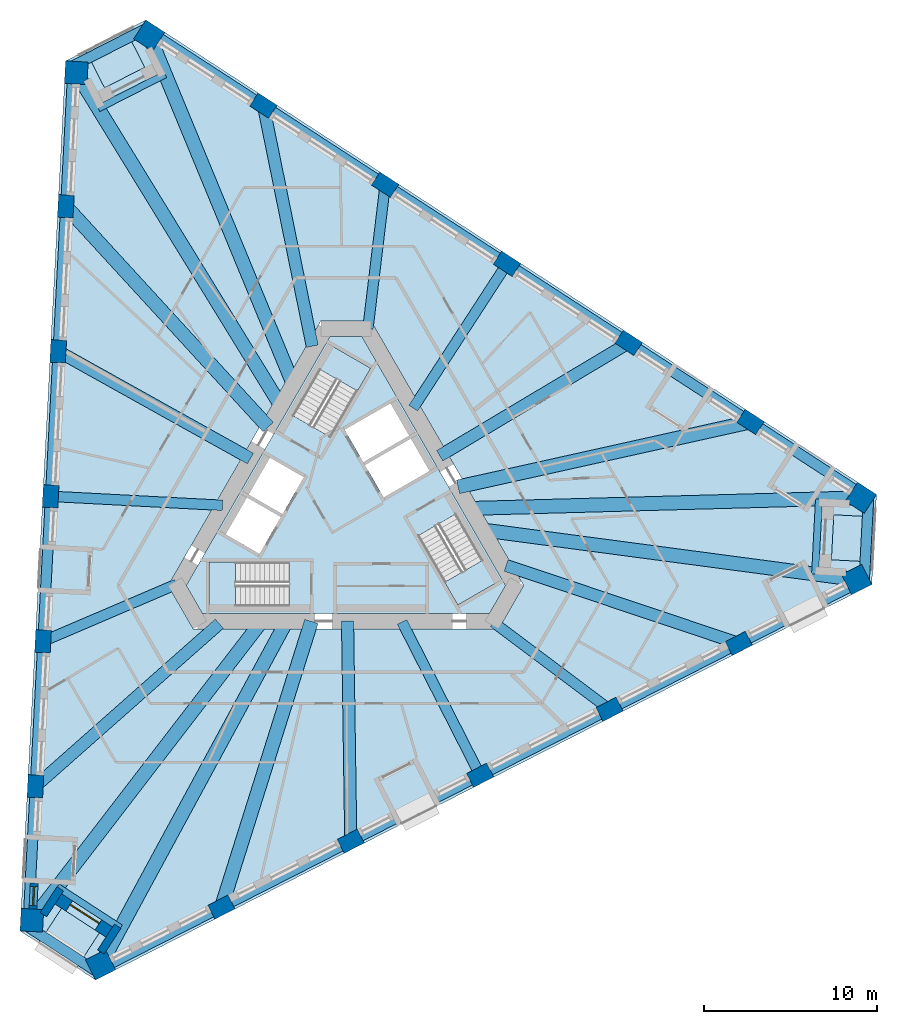
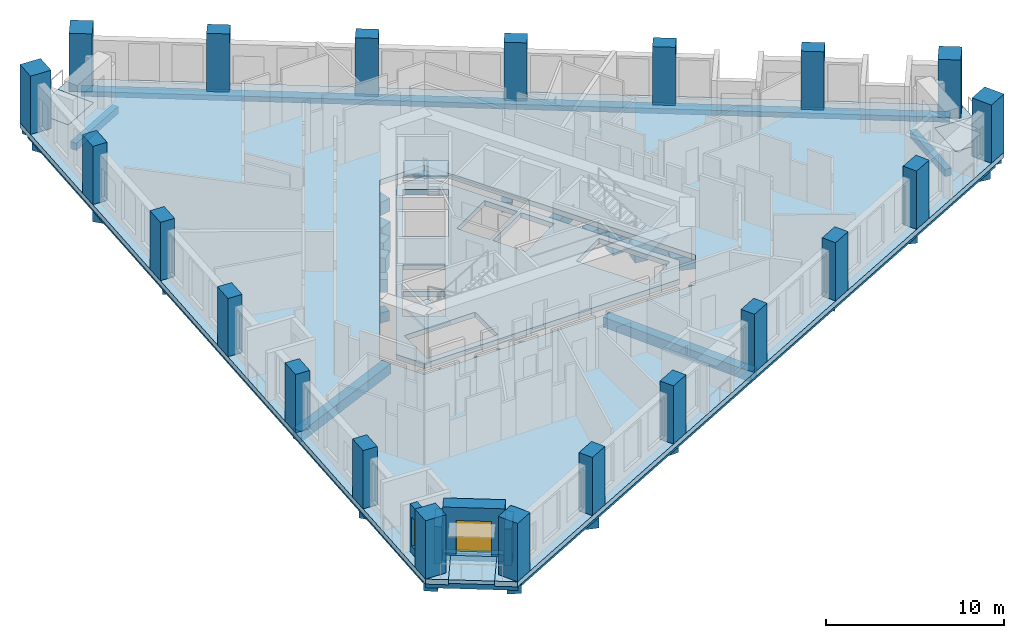
# One storey, part 1 of 13: 30 beams, 21 columns, 8 slabs, 4 walls, 1 door, 1 window, 2 openings, 3 elements without a shape of their own.
"""IFC4 building model written with IfcOpenShell, lengths in metres."""

from ifc_helpers import new_model, si_unit, direction, frame, frame_2d, origin, origin_2d, place, context, subcontext, project, spatial, polyline, rectangle, outline, extrude, material, layer, layer_set, material_profile, profile_set, type_object, element, fill, aggregate, save


model = new_model("IFC4")

# Units and contexts
model_context = context("Model", 3, precision=1e-05, world=origin(), true_north=direction((0.0, 1.0)))
body_context = subcontext(model_context, "Body", "Model", "MODEL_VIEW")
ifc_project = project(units=[si_unit("LENGTHUNIT", "METRE"), si_unit("AREAUNIT", "SQUARE_METRE"), si_unit("VOLUMEUNIT", "CUBIC_METRE"), si_unit("PLANEANGLEUNIT", "RADIAN"), si_unit("MASSUNIT", "GRAM", prefix="KILO")], contexts=[model_context])

# Site, building, storey
site_placement = place(None, origin())
site = spatial("IfcSite", under=ifc_project, at=site_placement, CompositionType="ELEMENT")
building_placement = place(site_placement, origin())
building = spatial("IfcBuilding", under=site, at=building_placement, Name="Tramontana Tower", CompositionType="ELEMENT")
storey_placement = place(building_placement, frame((0.0, 0.0, 149.60009765625)))
storey = spatial("IfcBuildingStorey", under=building, at=storey_placement, Name="L34", CompositionType="ELEMENT", Elevation=149.60009765625)

# Columns
ifc_material_1 = material(Name="Concrete 70 MPa", Category="concrete")
ifc_material_profile_1 = material_profile(ifc_material_1, rectangle(XDim=1.300048828125, YDim=1.300048828125, at=origin_2d()), Name="Mega column 1300X1300 70 MPa")
ifc_profile_set_1 = profile_set([ifc_material_profile_1], Name="Concrete 70 MPa")
column_type_1 = type_object("IfcColumnType", Name="Mega column 1300X1300 70 MPa", PredefinedType="COLUMN", material=ifc_profile_set_1)
for number, where, z_axis, x_axis, name in (
    (1, (-15.546630859375, 25.31298828125, 0.0), (0.0, 0.0, 1.0), (-0.052335956243, -0.998629534755, 0.0), "Mega column C3K1 L34"),
    (2, (-18.107177734375, -23.54931640625, 0.0), (0.0, 0.0, 1.0), (-0.052335956243, -0.998629534755, 0.0), "Mega column C3K2 L34"),
    (3, (-14.1484375, -26.1201171875, 0.0), (0.0, 0.0, 1.0), (0.891006524188, 0.45399049974, 0.0), "Mega column C3K3 L34"),
    (4, (29.447998046875, -3.90673828125, 0.0), (0.0, 0.0, 1.0), (0.891006524188, 0.45399049974, 0.0), "Mega column C3K4 L34"),
    (5, (29.695068359375, 0.80712890625, 0.0), (0.0, 0.0, 1.0), (-0.838670567945, 0.544639035015, 0.0), "Mega column C3K5 L34"),
    (6, (-11.340576171875, 27.4560546875, 0.0), (0.0, 0.0, 1.0), (-0.838670567945, 0.544639035015, 0.0), "Mega column C3K6 L34"),
):
    element("IfcColumn", number, at=place(storey_placement, frame(where, z_axis=z_axis, x_axis=x_axis)), inside=storey, type_object=column_type_1, Name=name, PredefinedType="COLUMN", context=body_context, shape_type="SweptSolid", body=[
        extrude(rectangle(XDim=1.300048828125, YDim=1.300048828125, at=origin_2d()), origin(), (0.0, 0.0, 1.0), 4.0),
    ])
ifc_material_2 = material(Name="Concrete 55 MPa", Category="concrete")
ifc_material_profile_2 = material_profile(ifc_material_2, rectangle(XDim=1.300048828125, YDim=0.89990234375, at=origin_2d()), Name="Pier column 1300X900 55 MPa")
ifc_profile_set_2 = profile_set([ifc_material_profile_2], Name="Concrete 55 MPa")
column_type_2 = type_object("IfcColumnType", Name="Pier column 1300X900 55 MPa", PredefinedType="COLUMN", material=ifc_profile_set_2)
for number, where, z_axis, x_axis, name in (
    (7, (-16.150390625, 17.612548828125, 0.0), (0.0, 0.0, 1.0), (-0.052335956243, -0.998629534755, 0.0), "Pier column C3F01 L34"),
    (8, (-16.58837890625, 9.25244140625, 0.0), (0.0, 0.0, 1.0), (-0.052335956243, -0.998629534755, 0.0), "Pier column C3F02 L34"),
    (9, (-17.026611328125, 0.892333984375, 0.0), (0.0, 0.0, 1.0), (-0.052335956243, -0.998629534755, 0.0), "Pier column C3F03 L34"),
    (10, (-17.46484375, -7.4677734375, 0.0), (0.0, 0.0, 1.0), (-0.052335956243, -0.998629534755, 0.0), "Pier column C3F04 L34"),
    (11, (-17.90283203125, -15.827880859375, 0.0), (0.0, 0.0, 1.0), (-0.052335956243, -0.998629534755, 0.0), "Pier column C3F05 L34"),
    (12, (-7.177734375, -22.79296875, 0.0), (0.0, 0.0, 1.0), (0.891006524188, 0.45399049974, 0.0), "Pier column C3F06 L34"),
    (13, (0.281494140625, -18.9921875, 0.0), (0.0, 0.0, 1.0), (0.891006524188, 0.45399049974, 0.0), "Pier column C3F07 L34"),
    (14, (7.740478515625, -15.191650390625, 0.0), (0.0, 0.0, 1.0), (0.891006524188, 0.45399049974, 0.0), "Pier column C3F08 L34"),
    (15, (15.19970703125, -11.39111328125, 0.0), (0.0, 0.0, 1.0), (0.891006524188, 0.45399049974, 0.0), "Pier column C3F09 L34"),
    (16, (22.65869140625, -7.59033203125, 0.0), (0.0, 0.0, 1.0), (0.891006524188, 0.45399049974, 0.0), "Pier column C3F10 L34"),
    (17, (23.328125, 5.180419921875, 0.0), (0.0, 0.0, 1.0), (-0.838670567945, 0.544639035015, 0.0), "Pier column C3F11 L34"),
    (18, (16.30712890625, 9.73974609375, 0.0), (0.0, 0.0, 1.0), (-0.838670567945, 0.544639035015, 0.0), "Pier column C3F12 L34"),
    (19, (9.2861328125, 14.29931640625, 0.0), (0.0, 0.0, 1.0), (-0.838670567945, 0.544639035015, 0.0), "Pier column C3F13 L34"),
    (20, (2.26513671875, 18.85888671875, 0.0), (0.0, 0.0, 1.0), (-0.838670567945, 0.544639035015, 0.0), "Pier column C3F14 L34"),
    (21, (-4.755859375, 23.418212890625, 0.0), (0.0, 0.0, 1.0), (-0.838670567945, 0.544639035015, 0.0), "Pier column C3F15 L34"),
):
    element("IfcColumn", number, at=place(storey_placement, frame(where, z_axis=z_axis, x_axis=x_axis)), inside=storey, type_object=column_type_2, Name=name, PredefinedType="COLUMN", context=body_context, shape_type="SweptSolid", body=[
        extrude(rectangle(XDim=1.300048828125, YDim=0.89990234375, at=origin_2d()), origin(), (0.0, 0.0, 1.0), 4.0),
    ])

# Beams
ifc_material_3 = material(Name="Concrete 40 MPa", Category="concrete")
ifc_material_profile_3 = material_profile(ifc_material_3, rectangle(XDim=0.60009765625, YDim=0.35009765625, at=origin_2d()), Name="RC EDGE BEAM 600X350 40 MPa")
ifc_profile_set_3 = profile_set([ifc_material_profile_3], Name="Concrete 40 MPa")
beam_type_1 = type_object("IfcBeamType", Name="RC EDGE BEAM 600X350 40 MPa", PredefinedType="SPANDREL", material=ifc_profile_set_3)
for number, where, z_axis, x_axis, name in (
    (22, (-15.74609375, 25.323486328125, -0.525146484375), (-0.052336488944, -0.998629506837, 0.0), (0.998629506837, -0.052336488944, 0.0), "Spandrel beam S0 L34"),
    (23, (-14.0576171875, -26.29833984375, -0.525146484375), (0.89100747088, 0.453988641748, 0.0), (-0.453988641748, 0.89100747088, 0.0), "Spandrel beam S1 L34"),
    (24, (29.803955078125, 0.974853515625, -0.525146484375), (-0.838669945923, 0.544639992844, 0.0), (-0.544639992844, -0.838669945923, 0.0), "Spandrel beam S2 L34"),
):
    element("IfcBeam", number, at=place(storey_placement, frame(where, z_axis=z_axis, x_axis=x_axis)), inside=storey, type_object=beam_type_1, Name=name, PredefinedType="SPANDREL", context=body_context, shape_type="SweptSolid", body=[
        extrude(rectangle(XDim=0.60009765625, YDim=0.35009765625, at=origin_2d()), origin(), (0.0, 0.0, 1.0), 48.929443359375),
    ])
for number, where, z_axis, x_axis, name in (
    (25, (-11.327392578125, 27.9541015625, -0.525146484375), (-0.891018699398, -0.453966603753, 0.0), (0.453966603753, -0.891018699398, 0.0), "Spandrel beam K0 L34"),
    (26, (-18.54541015625, -23.787109375, -0.525146484375), (0.838668969916, -0.544641495757, 0.0), (0.544641495757, 0.838668969916, 0.0), "Spandrel beam K1 L34"),
):
    element("IfcBeam", number, at=place(storey_placement, frame(where, z_axis=z_axis, x_axis=x_axis)), inside=storey, type_object=beam_type_1, Name=name, PredefinedType="SPANDREL", context=body_context, shape_type="SweptSolid", body=[
        extrude(rectangle(XDim=0.60009765625, YDim=0.35009765625, at=origin_2d()), origin(), (0.0, 0.0, 1.0), 5.1962890625),
    ])
beam_1_placement = place(storey_placement, frame((29.872802734375, -4.167236328125, -0.525146484375), z_axis=(0.052341816109, 0.998629227635, 0.0), x_axis=(-0.998629227635, 0.052341816109, 0.0)))
element("IfcBeam", 27, at=beam_1_placement, inside=storey, type_object=beam_type_1, Name="Spandrel beam K2 L34", PredefinedType="SPANDREL", context=body_context, shape_type="SweptSolid", body=[
    extrude(rectangle(XDim=0.60009765625, YDim=0.35009765625, at=origin_2d()), origin(), (0.0, 0.0, 1.0), 5.196044921875),
])
ifc_material_4 = material(Name="Concrete 40 MPa", Category="concrete")
ifc_material_profile_4 = material_profile(ifc_material_4, rectangle(XDim=0.60009765625, YDim=0.699951171875, at=origin_2d()), Name="RC GIRDER 600X700 40 MPa")
ifc_profile_set_4 = profile_set([ifc_material_profile_4], Name="Concrete 40 MPa")
beam_type_2 = type_object("IfcBeamType", Name="RC GIRDER 600X700 40 MPa", PredefinedType="BEAM", material=ifc_profile_set_4)
beam_2_placement = place(storey_placement, frame((-17.026611328125, 0.892333984375, -0.7001953125), z_axis=(0.998628816447, -0.052349660575, 0.0), x_axis=(0.052349660575, 0.998628816447, 0.0)))
element("IfcBeam", 28, at=beam_2_placement, inside=storey, type_object=beam_type_2, Name="Radial girder C3F03 L34", PredefinedType="BEAM", context=body_context, shape_type="SweptSolid", body=[
    extrude(rectangle(XDim=0.60009765625, YDim=0.699951171875, at=origin_2d()), origin(), (0.0, 0.0, 1.0), 9.92431640625),
])
beam_3_placement = place(storey_placement, frame((-17.46484375, -7.4677734375, -0.7001953125), z_axis=(0.919473795441, 0.393151293394, 0.0), x_axis=(-0.393151293394, 0.919473795441, 0.0)))
element("IfcBeam", 29, at=beam_3_placement, inside=storey, type_object=beam_type_2, Name="Radial girder C3F04 L34", PredefinedType="BEAM", context=body_context, shape_type="SweptSolid", body=[
    extrude(rectangle(XDim=0.60009765625, YDim=0.699951171875, at=origin_2d()), origin(), (0.0, 0.0, 1.0), 8.365234375),
])
beam_4_placement = place(storey_placement, frame((7.740478515625, -15.191650390625, -0.7001953125), z_axis=(-0.453980690523, 0.891011522166, 0.0), x_axis=(-0.891011522166, -0.453980690523, 0.0)))
element("IfcBeam", 30, at=beam_4_placement, inside=storey, type_object=beam_type_2, Name="Radial girder C3F08 L34", PredefinedType="BEAM", context=body_context, shape_type="SweptSolid", body=[
    extrude(rectangle(XDim=0.60009765625, YDim=0.699951171875, at=origin_2d()), origin(), (0.0, 0.0, 1.0), 9.924072265625),
])
beam_5_placement = place(storey_placement, frame((15.19970703125, -11.39111328125, -0.7001953125), z_axis=(-0.800213580839, 0.599715119904, 0.0), x_axis=(-0.599715119904, -0.800213580839, 0.0)))
element("IfcBeam", 31, at=beam_5_placement, inside=storey, type_object=beam_type_2, Name="Radial girder C3F09 L34", PredefinedType="BEAM", context=body_context, shape_type="SweptSolid", body=[
    extrude(rectangle(XDim=0.60009765625, YDim=0.699951171875, at=origin_2d()), origin(), (0.0, 0.0, 1.0), 8.365478515625),
])
beam_6_placement = place(storey_placement, frame((9.2861328125, 14.29931640625, -0.7001953125), z_axis=(-0.54464589271, -0.838666114466, 0.0), x_axis=(0.838666114466, -0.54464589271, 0.0)))
element("IfcBeam", 32, at=beam_6_placement, inside=storey, type_object=beam_type_2, Name="Radial girder C3F13 L34", PredefinedType="BEAM", context=body_context, shape_type="SweptSolid", body=[
    extrude(rectangle(XDim=0.60009765625, YDim=0.699951171875, at=origin_2d()), origin(), (0.0, 0.0, 1.0), 9.92431640625),
])
beam_7_placement = place(storey_placement, frame((2.26513671875, 18.85888671875, -0.7001953125), z_axis=(-0.119248793527, -0.992864404258, 0.0), x_axis=(0.992864404258, -0.119248793527, 0.0)))
element("IfcBeam", 33, at=beam_7_placement, inside=storey, type_object=beam_type_2, Name="Radial girder C3F14 L34", PredefinedType="BEAM", context=body_context, shape_type="SweptSolid", body=[
    extrude(rectangle(XDim=0.60009765625, YDim=0.699951171875, at=origin_2d()), origin(), (0.0, 0.0, 1.0), 8.365234375),
])
ifc_material_5 = material(Name="Concrete 40 MPa", Category="concrete")
ifc_material_profile_5 = material_profile(ifc_material_5, rectangle(XDim=0.699951171875, YDim=0.89990234375, at=origin_2d()), Name="RC GIRDER 700X900 40 MPa")
ifc_profile_set_5 = profile_set([ifc_material_profile_5], Name="Concrete 40 MPa")
beam_type_3 = type_object("IfcBeamType", Name="RC GIRDER 700X900 40 MPa", PredefinedType="BEAM", material=ifc_profile_set_5)
beam_8_placement = place(storey_placement, frame((-16.58837890625, 9.25244140625, -0.800048828125), z_axis=(0.873332247198, -0.487125020917, 0.0), x_axis=(0.487125020917, 0.873332247198, 0.0)))
element("IfcBeam", 34, at=beam_8_placement, inside=storey, type_object=beam_type_3, Name="Radial girder C3F02 L34", PredefinedType="BEAM", context=body_context, shape_type="SweptSolid", body=[
    extrude(rectangle(XDim=0.699951171875, YDim=0.89990234375, at=origin_2d()), origin(), (0.0, 0.0, 1.0), 12.693603515625),
])
beam_9_placement = place(storey_placement, frame((-17.90283203125, -15.827880859375, -0.800048828125), z_axis=(0.74918417634, 0.662361736456, 0.0), x_axis=(-0.662361736456, 0.74918417634, 0.0)))
element("IfcBeam", 35, at=beam_9_placement, inside=storey, type_object=beam_type_3, Name="Radial girder C3F05 L34", PredefinedType="BEAM", context=body_context, shape_type="SweptSolid", body=[
    extrude(rectangle(XDim=0.699951171875, YDim=0.89990234375, at=origin_2d()), origin(), (0.0, 0.0, 1.0), 14.1552734375),
])
beam_10_placement = place(storey_placement, frame((0.281494140625, -18.9921875, -0.800048828125), z_axis=(-0.014829000023, 0.999890044334, 0.0), x_axis=(-0.999890044334, -0.014829000023, 0.0)))
element("IfcBeam", 36, at=beam_10_placement, inside=storey, type_object=beam_type_3, Name="Radial girder C3F07 L34", PredefinedType="BEAM", context=body_context, shape_type="SweptSolid", body=[
    extrude(rectangle(XDim=0.699951171875, YDim=0.89990234375, at=origin_2d()), origin(), (0.0, 0.0, 1.0), 12.693603515625),
])
beam_11_placement = place(storey_placement, frame((22.65869140625, -7.59033203125, -0.800048828125), z_axis=(-0.948211400457, 0.317639953476, 0.0), x_axis=(-0.317639953476, -0.948211400457, 0.0)))
element("IfcBeam", 37, at=beam_11_placement, inside=storey, type_object=beam_type_3, Name="Radial girder C3F10 L34", PredefinedType="BEAM", context=body_context, shape_type="SweptSolid", body=[
    extrude(rectangle(XDim=0.699951171875, YDim=0.89990234375, at=origin_2d()), origin(), (0.0, 0.0, 1.0), 14.155517578125),
])
beam_12_placement = place(storey_placement, frame((16.30712890625, 9.73974609375, -0.800048828125), z_axis=(-0.858533155932, -0.512758052268, 0.0), x_axis=(0.512758052268, -0.858533155932, 0.0)))
element("IfcBeam", 38, at=beam_12_placement, inside=storey, type_object=beam_type_3, Name="Radial girder C3F12 L34", PredefinedType="BEAM", context=body_context, shape_type="SweptSolid", body=[
    extrude(rectangle(XDim=0.699951171875, YDim=0.89990234375, at=origin_2d()), origin(), (0.0, 0.0, 1.0), 12.693603515625),
])
beam_13_placement = place(storey_placement, frame((-4.755859375, 23.418212890625, -0.800048828125), z_axis=(0.199014115168, -0.979996623445, 0.0), x_axis=(0.979996623445, 0.199014115168, 0.0)))
element("IfcBeam", 39, at=beam_13_placement, inside=storey, type_object=beam_type_3, Name="Radial girder C3F15 L34", PredefinedType="BEAM", context=body_context, shape_type="SweptSolid", body=[
    extrude(rectangle(XDim=0.699951171875, YDim=0.89990234375, at=origin_2d()), origin(), (0.0, 0.0, 1.0), 14.155517578125),
])
ifc_material_6 = material(Name="Concrete 40 MPa", Category="concrete")
ifc_material_profile_6 = material_profile(ifc_material_6, rectangle(XDim=0.800048828125, YDim=1.10009765625, at=origin_2d()), Name="RC GIRDER 800X1100 40 MPa")
ifc_profile_set_6 = profile_set([ifc_material_profile_6], Name="Concrete 40 MPa")
beam_type_4 = type_object("IfcBeamType", Name="RC GIRDER 800X1100 40 MPa", PredefinedType="BEAM", material=ifc_profile_set_6)
beam_14_placement = place(storey_placement, frame((-15.54638671875, 25.31298828125, -0.900146484375), z_axis=(0.523345221795, -0.852120753664, 0.0), x_axis=(0.852120753664, 0.523345221795, 0.0)))
element("IfcBeam", 40, at=beam_14_placement, inside=storey, type_object=beam_type_4, Name="Radial girder C3K1 L34", PredefinedType="BEAM", context=body_context, shape_type="SweptSolid", body=[
    extrude(rectangle(XDim=0.800048828125, YDim=1.10009765625, at=origin_2d()), origin(), (0.0, 0.0, 1.0), 22.479248046875),
])
beam_15_placement = place(storey_placement, frame((-16.150390625, 17.612548828125, -0.900146484375), z_axis=(0.675852012308, -0.737037351469, 0.0), x_axis=(0.737037351469, 0.675852012308, 0.0)))
element("IfcBeam", 41, at=beam_15_placement, inside=storey, type_object=beam_type_4, Name="Radial girder C3F01 L34", PredefinedType="BEAM", context=body_context, shape_type="SweptSolid", body=[
    extrude(rectangle(XDim=0.800048828125, YDim=1.10009765625, at=origin_2d()), origin(), (0.0, 0.0, 1.0), 17.26953125),
])
beam_16_placement = place(storey_placement, frame((-18.107421875, -23.54931640625, -0.900146484375), z_axis=(0.609557551485, 0.792741818896, 0.0), x_axis=(-0.792741818896, 0.609557551485, 0.0)))
element("IfcBeam", 42, at=beam_16_placement, inside=storey, type_object=beam_type_4, Name="Radial girder C3K2 L34", PredefinedType="BEAM", context=body_context, shape_type="SweptSolid", body=[
    extrude(rectangle(XDim=0.800048828125, YDim=1.10009765625, at=origin_2d()), origin(), (0.0, 0.0, 1.0), 21.641357421875),
])
beam_17_placement = place(storey_placement, frame((-14.1484375, -26.1201171875, -0.900146484375), z_axis=(0.476284198163, 0.879291397991, 0.0), x_axis=(-0.879291397991, 0.476284198163, 0.0)))
element("IfcBeam", 43, at=beam_17_placement, inside=storey, type_object=beam_type_4, Name="Radial girder C3K3 L34", PredefinedType="BEAM", context=body_context, shape_type="SweptSolid", body=[
    extrude(rectangle(XDim=0.800048828125, YDim=1.10009765625, at=origin_2d()), origin(), (0.0, 0.0, 1.0), 22.479248046875),
])
beam_18_placement = place(storey_placement, frame((-7.177734375, -22.79296875, -0.900146484375), z_axis=(0.300368764095, 0.953823152139, 0.0), x_axis=(-0.953823152139, 0.300368764095, 0.0)))
element("IfcBeam", 44, at=beam_18_placement, inside=storey, type_object=beam_type_4, Name="Radial girder C3F06 L34", PredefinedType="BEAM", context=body_context, shape_type="SweptSolid", body=[
    extrude(rectangle(XDim=0.800048828125, YDim=1.10009765625, at=origin_2d()), origin(), (0.0, 0.0, 1.0), 17.26953125),
])
beam_19_placement = place(storey_placement, frame((29.447998046875, -3.90673828125, -0.900146484375), z_axis=(-0.991313997986, 0.131516376914, 0.0), x_axis=(-0.131516376914, -0.991313997986, 0.0)))
element("IfcBeam", 45, at=beam_19_placement, inside=storey, type_object=beam_type_4, Name="Radial girder C3K4 L34", PredefinedType="BEAM", context=body_context, shape_type="SweptSolid", body=[
    extrude(rectangle(XDim=0.800048828125, YDim=1.10009765625, at=origin_2d()), origin(), (0.0, 0.0, 1.0), 21.641357421875),
])
beam_20_placement = place(storey_placement, frame((29.695068359375, 0.80712890625, -0.900146484375), z_axis=(-0.999630732276, -0.027173499768, 0.0), x_axis=(0.027173499768, -0.999630732276, 0.0)))
element("IfcBeam", 46, at=beam_20_placement, inside=storey, type_object=beam_type_4, Name="Radial girder C3K5 L34", PredefinedType="BEAM", context=body_context, shape_type="SweptSolid", body=[
    extrude(rectangle(XDim=0.800048828125, YDim=1.10009765625, at=origin_2d()), origin(), (0.0, 0.0, 1.0), 22.479248046875),
])
beam_21_placement = place(storey_placement, frame((23.328125, 5.180419921875, -0.900146484375), z_axis=(-0.976217985391, -0.216791247516, 0.0), x_axis=(0.216791247516, -0.976217985391, 0.0)))
element("IfcBeam", 47, at=beam_21_placement, inside=storey, type_object=beam_type_4, Name="Radial girder C3F11 L34", PredefinedType="BEAM", context=body_context, shape_type="SweptSolid", body=[
    extrude(rectangle(XDim=0.800048828125, YDim=1.10009765625, at=origin_2d()), origin(), (0.0, 0.0, 1.0), 17.26953125),
])
beam_22_placement = place(storey_placement, frame((-11.3408203125, 27.4560546875, -0.900146484375), z_axis=(0.381767486968, -0.924258397795, 0.0), x_axis=(0.924258397795, 0.381767486968, 0.0)))
element("IfcBeam", 48, at=beam_22_placement, inside=storey, type_object=beam_type_4, Name="Radial girder C3K6 L34", PredefinedType="BEAM", context=body_context, shape_type="SweptSolid", body=[
    extrude(rectangle(XDim=0.800048828125, YDim=1.10009765625, at=origin_2d()), origin(), (0.0, 0.0, 1.0), 21.641357421875),
])
ifc_material_7 = material(Name="Concrete 40 MPa", Category="concrete")
ifc_material_profile_7 = material_profile(ifc_material_7, rectangle(XDim=0.39990234375, YDim=0.5, at=origin_2d()), Name="RC TRIM BEAM 400X500 40 MPa")
ifc_profile_set_7 = profile_set([ifc_material_profile_7], Name="Concrete 40 MPa")
beam_type_5 = type_object("IfcBeamType", Name="RC TRIM BEAM 400X500 40 MPa", PredefinedType="JOIST", material=ifc_profile_set_7)
for number, where, z_axis, x_axis, name in (
    (49, (-10.4169921875, 25.219482421875, -0.60009765625), (-0.891023167183, -0.453957834544, 0.0), (0.453957834544, -0.891023167183, 0.0), "Trimmer beam K0 L34"),
    (50, (-16.63232421875, -21.631103515625, -0.60009765625), (0.838651964019, -0.544667681479, 0.0), (0.544667681479, 0.838651964019, 0.0), "Trimmer beam K1 L34"),
    (51, (27.04931640625, -3.58837890625, -0.60009765625), (0.052310576439, 0.99863086453, 0.0), (-0.99863086453, 0.052310576439, 0.0), "Trimmer beam K2 L34"),
):
    element("IfcBeam", number, at=place(storey_placement, frame(where, z_axis=z_axis, x_axis=x_axis)), inside=storey, type_object=beam_type_5, Name=name, PredefinedType="JOIST", context=body_context, shape_type="SweptSolid", body=[
        extrude(rectangle(XDim=0.39990234375, YDim=0.5, at=origin_2d()), origin(), (0.0, 0.0, 1.0), 4.335693359375),
    ])

# Slabs
ifc_material_8 = material(Name="Precast concrete 50 MPa", Category="concrete")
ifc_layer_1 = layer(ifc_material_8, 0.25)
ifc_layer_set_1 = layer_set([ifc_layer_1], Name="LT1 Loggia floor tray 250")
slab_type_1 = type_object("IfcSlabType", Name="LT1 Loggia floor tray 250", PredefinedType="FLOOR", material=ifc_layer_set_1)
slab_1_placement = place(storey_placement, frame((0.0, 0.0, -0.25)))
element("IfcSlab", 52, at=slab_1_placement, inside=storey, type_object=slab_type_1, Name="Corner loggia floor L34 K30", PredefinedType="FLOOR", context=body_context, shape_type="SweptSolid", body=[
    extrude(outline(polyline([(-12.6884765625, 27.765869140625), (-11.598876953125, 25.62744140625), (-13.91552734375, 24.447021484375), (-15.005126953125, 26.58544921875), (-12.6884765625, 27.765869140625)])), origin(), (0.0, 0.0, 1.0), 0.25),
])
slab_2_placement = place(storey_placement, frame((0.0, 0.0, -0.25)))
element("IfcSlab", 53, at=slab_2_placement, inside=storey, type_object=slab_type_1, Name="Corner loggia floor L34 K31", PredefinedType="FLOOR", context=body_context, shape_type="SweptSolid", body=[
    extrude(outline(polyline([(-17.70166015625, -24.871337890625), (-16.39453125, -22.858642578125), (-14.214111328125, -24.274658203125), (-15.521240234375, -26.28759765625), (-17.70166015625, -24.871337890625)])), origin(), (0.0, 0.0, 1.0), 0.25),
])
slab_3_placement = place(storey_placement, frame((0.0, 0.0, -0.25)))
element("IfcSlab", 54, at=slab_3_placement, inside=storey, type_object=slab_type_1, Name="Corner loggia floor L34 K32", PredefinedType="FLOOR", context=body_context, shape_type="SweptSolid", body=[
    extrude(outline(polyline([(30.39013671875, -2.89453125), (27.993408203125, -2.768798828125), (28.129638671875, -0.17236328125), (30.526123046875, -0.298095703125), (30.39013671875, -2.89453125)])), origin(), (0.0, 0.0, 1.0), 0.25),
])
ifc_material_9 = material(Name="Concrete 40 MPa", Category="concrete")
ifc_layer_2 = layer(ifc_material_9, 0.35009765625)
ifc_layer_set_2 = layer_set([ifc_layer_2], Name="PT FLAT SLAB 350 40 MPa")
slab_type_2 = type_object("IfcSlabType", Name="PT FLAT SLAB 350 40 MPa", PredefinedType="FLOOR", material=ifc_layer_set_2)
slab_4_placement = place(storey_placement, frame((0.0, 0.0, -0.35009765625)))
element("IfcSlab", 55, at=slab_4_placement, inside=storey, type_object=slab_type_2, Name="Floor slab L34", PredefinedType="FLOOR", context=body_context, shape_type="SweptSolid", body=[
    extrude(outline(polyline([(30.526123046875, -0.298095703125), (28.12939453125, -0.17236328125), (27.993408203125, -2.768798828125), (30.39013671875, -2.89453125), (30.322265625, -4.19091796875), (-14.4326171875, -26.994384765625), (-15.521240234375, -26.28759765625), (-14.214111328125, -24.274658203125), (-16.39453125, -22.858642578125), (-17.701904296875, -24.871337890625), (-18.790283203125, -24.164306640625), (-16.16162109375, 25.99609375), (-15.0048828125, 26.58544921875), (-13.915283203125, 24.447021484375), (-11.598876953125, 25.62744140625), (-12.6884765625, 27.765869140625), (-11.53173828125, 28.355224609375), (30.59423828125, 0.998291015625), (30.526123046875, -0.298095703125)]), holes=[polyline([(-10.248046875, -4.25), (-8.8046875, -6.75), (8.8046875, -6.75), (10.248046875, -4.25), (1.443359375, 11.0), (-1.443359375, 11.0), (-10.248046875, -4.25)])]), origin(), (0.0, 0.0, 1.0), 0.35009765625),
])
slab_5_placement = place(storey_placement, frame((0.0, 0.0, -0.35009765625)))
element("IfcSlab", 56, at=slab_5_placement, inside=storey, type_object=slab_type_2, Name="Core floor slab L34", PredefinedType="FLOOR", context=body_context, shape_type="SweptSolid", body=[
    extrude(outline(polyline([(9.208740234375, -4.25), (8.284912109375, -5.85009765625), (-8.284912109375, -5.85009765625), (-9.208740234375, -4.25), (-0.923828125, 10.10009765625), (0.923828125, 10.10009765625), (9.208740234375, -4.25)]), holes=[polyline([(8.659912109375, -4.099365234375), (6.35986328125, -0.115478515625), (4.151611328125, -1.390625), (6.451416015625, -5.374267578125), (8.659912109375, -4.099365234375)]), polyline([(3.829833984375, 4.2666015625), (1.101806640625, 2.69140625), (2.177001953125, 0.82958984375), (4.90478515625, 2.404541015625), (3.829833984375, 4.2666015625)]), polyline([(2.65478515625, 6.3017578125), (-0.072998046875, 4.726806640625), (1.001953125, 2.86474609375), (3.729736328125, 4.439697265625), (2.65478515625, 6.3017578125)]), polyline([(-0.77978515625, 9.54931640625), (-3.079833984375, 5.565673828125), (-0.87158203125, 4.29052734375), (1.428466796875, 8.2744140625), (-0.77978515625, 9.54931640625)]), polyline([(-5.689697265625, 1.044921875), (-3.65478515625, -0.130126953125), (-2.4296875, 1.99169921875), (-4.46484375, 3.166748046875), (-5.689697265625, 1.044921875)]), polyline([(-3.280029296875, -5.449951171875), (-3.280029296875, -2.89990234375), (-7.8798828125, -2.89990234375), (-7.8798828125, -5.449951171875), (-3.280029296875, -5.449951171875)]), polyline([(-7.014892578125, -1.25), (-4.979736328125, -2.425048828125), (-3.754638671875, -0.30322265625), (-5.789794921875, 0.87158203125), (-7.014892578125, -1.25)])]), origin(), (0.0, 0.0, 1.0), 0.35009765625),
])

# Stair, slab
ifc_material_10 = material(Name="Concrete 40 MPa", Category="concrete")
stair_type = type_object("IfcStairType", Name="EXIT STAIR 24 RISERS", PredefinedType="HALF_TURN_STAIR", material=ifc_material_10)
stair_1_placement = place(storey_placement, origin())
stair_1 = element("IfcStair", 57, at=stair_1_placement, inside=storey, type_object=stair_type, Name="L34 Exit stair ST1", PredefinedType="HALF_TURN_STAIR")
ifc_material_11 = material(Name="Concrete 40 MPa", Category="concrete")
ifc_layer_3 = layer(ifc_material_11, 0.199951171875)
ifc_layer_set_3 = layer_set([ifc_layer_3], Name="STAIR LANDING 200")
slab_type_3 = type_object("IfcSlabType", Name="STAIR LANDING 200", PredefinedType="LANDING", material=ifc_layer_set_3)
slab_6_placement = place(storey_placement, frame((0.0, 0.0, 1.7998046875)))
slab_6 = element("IfcSlab", 58, at=slab_6_placement, type_object=slab_type_3, Name="ST1 landing 1", PredefinedType="LANDING", context=body_context, shape_type="SweptSolid", body=[
    extrude(outline(polyline([(0.66845703125, 6.9580078125), (1.428466796875, 8.274169921875), (-0.77978515625, 9.54931640625), (-1.539794921875, 8.23291015625), (0.66845703125, 6.9580078125)])), origin(), (0.0, 0.0, 1.0), 0.2001953125),
])
aggregate(stair_1, [slab_6])

stair_2_placement = place(storey_placement, origin())
stair_2 = element("IfcStair", 59, at=stair_2_placement, inside=storey, type_object=stair_type, Name="L34 Exit stair ST2", PredefinedType="HALF_TURN_STAIR")
slab_7_placement = place(storey_placement, frame((0.0, 0.0, 1.7998046875)))
slab_7 = element("IfcSlab", 60, at=slab_7_placement, type_object=slab_type_3, Name="ST2 landing 1", PredefinedType="LANDING", context=body_context, shape_type="SweptSolid", body=[
    extrude(outline(polyline([(-6.360107421875, -2.89990234375), (-7.8798828125, -2.89990234375), (-7.8798828125, -5.449951171875), (-6.360107421875, -5.449951171875), (-6.360107421875, -2.89990234375)])), origin(), (0.0, 0.0, 1.0), 0.2001953125),
])
aggregate(stair_2, [slab_7])

stair_3_placement = place(storey_placement, origin())
stair_3 = element("IfcStair", 61, at=stair_3_placement, inside=storey, type_object=stair_type, Name="L34 Exit stair ST3", PredefinedType="HALF_TURN_STAIR")
slab_8_placement = place(storey_placement, frame((0.0, 0.0, 1.7998046875)))
slab_8 = element("IfcSlab", 62, at=slab_8_placement, type_object=slab_type_3, Name="ST3 landing 1", PredefinedType="LANDING", context=body_context, shape_type="SweptSolid", body=[
    extrude(outline(polyline([(5.69140625, -4.057861328125), (6.451416015625, -5.374267578125), (8.659912109375, -4.099365234375), (7.89990234375, -2.782958984375), (5.69140625, -4.057861328125)])), origin(), (0.0, 0.0, 1.0), 0.2001953125),
])
aggregate(stair_3, [slab_8])

# Wall, opening, window
ifc_material_12 = material(Name="Precast concrete 60 MPa", Category="concrete")
ifc_layer_4 = layer(ifc_material_12, 0.449951171875)
ifc_layer_set_4 = layer_set([ifc_layer_4], Name="Precast concrete 60 MPa, 450 mm")
wall_type_1 = type_object("IfcWallType", Name="EW1 Stone-faced precast wall 450", PredefinedType="SOLIDWALL", material=ifc_layer_set_4)
wall_1_placement = place(storey_placement, frame((-17.97021484375, -21.4130859375, 0.0), z_axis=(0.0, 0.0, 1.0), x_axis=(-0.052412688754, -0.998625510418, 0.0)))
wall_1 = element("IfcWall", 63, at=wall_1_placement, inside=storey, type_object=wall_type_1, Name="External wall L34 face 0 bay 6", PredefinedType="SOLIDWALL", context=body_context, shape_type="SweptSolid", body=[
    extrude(rectangle(XDim=1.490478515625, YDim=0.449951171875, at=frame_2d((0.7451171875, 0.0))), origin(), (0.0, 0.0, 1.0), 3.2998046875),
])
opening_1_placement = place(wall_1_placement, frame((0.1953125, 0.0, 0.5)))
opening_1 = element("IfcOpeningElement", 64, at=opening_1_placement, cuts=wall_1, Name="Opening N2L", PredefinedType="OPENING", context=body_context, shape_type="SweptSolid", body=[
    extrude(rectangle(XDim=1.10009765625, YDim=2.0, at=frame_2d((0.550048828125, 1.0))), frame((0.0, 0.23486328125, 0.0), z_axis=(0.0, -1.0, 0.0), x_axis=(1.0, 0.0, 0.0)), (0.0, 0.0, 1.0), 0.469970703125),
])
ifc_material_13 = material(Name="Aluminum frame, double glazing unit", Category="aluminium")
window_type = type_object("IfcWindowType", Name="N2L Window 1.1 x 2", PartitioningType="SINGLE_PANEL", PredefinedType="WINDOW", material=ifc_material_13)
window_placement = place(opening_1_placement, origin())
window = element("IfcWindow", 65, at=window_placement, inside=storey, type_object=window_type, Name="Window N2L L34 face 0 module 18", OverallHeight=2.0, OverallWidth=1.10009765625, PartitioningType="SINGLE_PANEL", PredefinedType="WINDOW", context=body_context, shape_type="SweptSolid", body=[
    extrude(rectangle(XDim=1.10009765625, YDim=2.0, at=frame_2d((0.550048828125, 1.0))), frame((0.0, 0.030029296875, 0.0), z_axis=(0.0, -1.0, 0.0), x_axis=(1.0, 0.0, 0.0)), (0.0, 0.0, 1.0), 0.06005859375),
])
fill(opening_1, window)

# Walls
for number, where, z_axis, x_axis, name in (
    (66, (-14.126708984375, -25.379638671875, 0.0), (0.0, 0.0, 1.0), (0.544621738408, 0.83868180024, 0.0), "Corner loggia side wall L34 K31l"),
    (67, (-17.439697265625, -23.228271484375, 0.0), (0.0, 0.0, 1.0), (0.544718245588, 0.838619122679, 0.0), "Corner loggia side wall L34 K31r"),
):
    element("IfcWall", number, at=place(storey_placement, frame(where, z_axis=z_axis, x_axis=x_axis)), inside=storey, type_object=wall_type_1, Name=name, PredefinedType="SOLIDWALL", context=body_context, shape_type="SweptSolid", body=[
        extrude(rectangle(XDim=1.779296875, YDim=0.449951171875, at=frame_2d((0.8896484375, 0.0))), origin(), (0.0, 0.0, 1.0), 2.5498046875),
    ])

# Wall, opening, door
ifc_material_14 = material(Name="Precast concrete 60 MPa", Category="concrete")
ifc_layer_5 = layer(ifc_material_14, 0.89990234375)
ifc_layer_set_5 = layer_set([ifc_layer_5], Name="EW2 Stone-faced corner loggia wall 900")
wall_type_2 = type_object("IfcWallType", Name="EW2 Stone-faced corner loggia wall 900", PredefinedType="SOLIDWALL", material=ifc_layer_set_5)
wall_2_placement = place(storey_placement, frame((-13.591552734375, -24.142333984375, 0.0), z_axis=(0.0, 0.0, 1.0), x_axis=(-0.838665071449, 0.544647498784, 0.0)))
wall_2 = element("IfcWall", 68, at=wall_2_placement, inside=storey, type_object=wall_type_2, Name="Corner loggia wall L34 K31", PredefinedType="SOLIDWALL", context=body_context, shape_type="SweptSolid", body=[
    extrude(rectangle(XDim=3.5, YDim=0.89990234375, at=frame_2d((1.75, 0.0))), origin(), (0.0, 0.0, 1.0), 3.2998046875),
])
opening_2_placement = place(wall_2_placement, frame((0.75, 0.0, 0.0)))
opening_2 = element("IfcOpeningElement", 69, at=opening_2_placement, cuts=wall_2, Name="Opening BD-31C", PredefinedType="OPENING", context=body_context, shape_type="SweptSolid", body=[
    extrude(rectangle(XDim=2.0, YDim=2.39990234375, at=frame_2d((1.0, 1.199951171875))), frame((0.0, 0.4599609375, 0.0), z_axis=(0.0, -1.0, 0.0), x_axis=(1.0, 0.0, 0.0)), (0.0, 0.0, 1.0), 0.919921875),
])
ifc_material_15 = material(Name="Aluminum frame, double glazing unit", Category="aluminium")
door_type = type_object("IfcDoorType", Name="BC1 Sliding door 2 x 2.4", OperationType="SLIDING_TO_LEFT", PredefinedType="DOOR", material=ifc_material_15)
door_placement = place(opening_2_placement, origin())
door = element("IfcDoor", 70, at=door_placement, inside=storey, type_object=door_type, Name="Corner loggia door L34 K31", OperationType="SLIDING_TO_LEFT", OverallHeight=2.39990234375, OverallWidth=2.0, PredefinedType="DOOR", context=body_context, shape_type="SweptSolid", body=[
    extrude(rectangle(XDim=2.0, YDim=2.39990234375, at=frame_2d((1.0, 1.199951171875))), frame((0.0, 0.02490234375, 0.0), z_axis=(0.0, -1.0, 0.0), x_axis=(1.0, 0.0, 0.0)), (0.0, 0.0, 1.0), 0.050048828125),
])
fill(opening_2, door)

save(model, "model.ifc")
